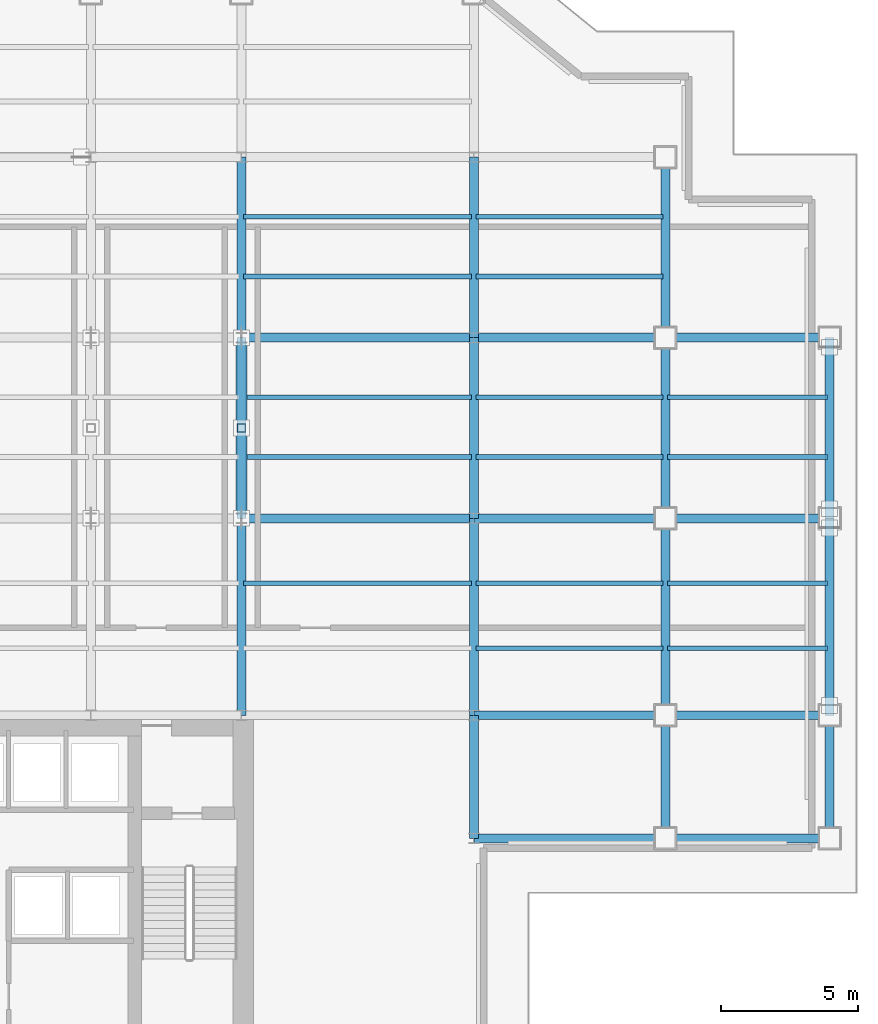
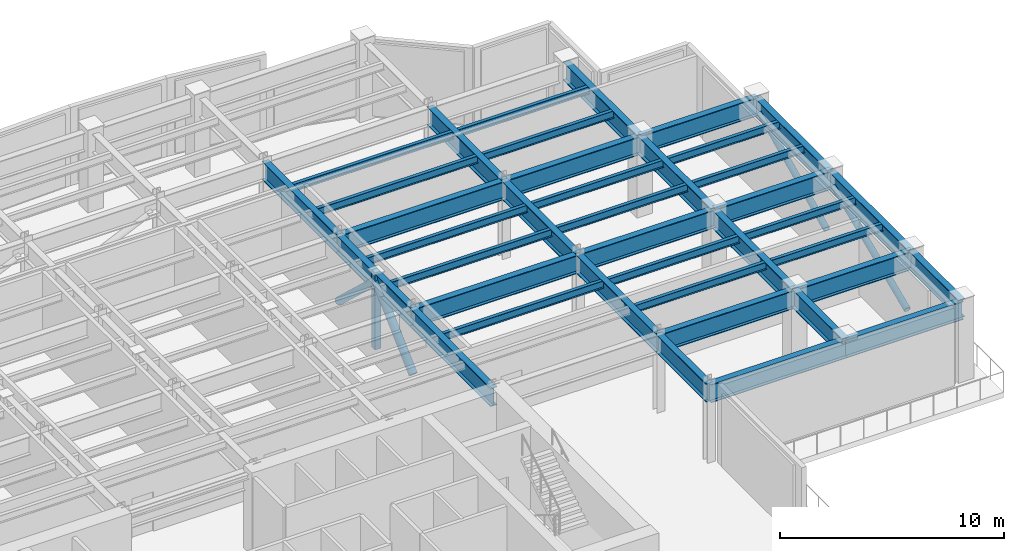
# One storey, part 3 of 12: 39 beams, 5 members.
"""IFC4 building model written with IfcOpenShell, lengths in metres."""

from ifc_helpers import new_model, si_unit, derived_unit, direction, frame, origin, origin_2d, place, context, subcontext, project, spatial, hollow_rectangle, hollow_circle, i_section, extrude, source, transform, mapped, material, material_profile, profile_set, type_object, element, save


model = new_model("IFC4")

# Units and contexts
model_context = context("Model", 3, precision=1e-05, world=origin(), true_north=direction((0.0, 1.0)))
body_context = subcontext(model_context, "Body", "Model", "MODEL_VIEW")
ifc_project = project(units=[si_unit("LENGTHUNIT", "METRE"), si_unit("AREAUNIT", "SQUARE_METRE"), si_unit("VOLUMEUNIT", "CUBIC_METRE"), si_unit("PLANEANGLEUNIT", "RADIAN"), si_unit("MASSUNIT", "GRAM", prefix="KILO"), derived_unit("THERMALTRANSMITTANCEUNIT", [(si_unit("POWERUNIT", "WATT"), 1), (si_unit("LENGTHUNIT", "METRE"), -2), (si_unit("THERMODYNAMICTEMPERATUREUNIT", "KELVIN"), -1)])], contexts=[model_context])

# Site, building, storey
site_placement = place(None, origin())
site = spatial("IfcSite", under=ifc_project, at=site_placement, CompositionType="ELEMENT")
building_placement = place(site_placement, origin())
building = spatial("IfcBuilding", under=site, at=building_placement, Name="Skarnbrae Concourse Arena and Tower", CompositionType="ELEMENT")
storey_placement = place(building_placement, frame((0.0, 0.0, 136.10009765625)))
storey = spatial("IfcBuildingStorey", under=building, at=storey_placement, Name="L34", CompositionType="ELEMENT", Elevation=136.10009765625)

# Beams
ifc_material = material(Name="Steel CSA G40.21 350W", Category="steel")
ifc_material_profile_1 = material_profile(ifc_material, i_section(OverallWidth=0.327880859375, OverallDepth=1.0, WebThickness=0.02099609375, FlangeThickness=0.03759765625, at=origin_2d()), Name="W1000X371")
ifc_profile_set_1 = profile_set([ifc_material_profile_1], Name="Steel CSA G40.21 350W")
beam_type_1 = type_object("IfcBeamType", Name="BM-XFER-W1000X371", PredefinedType="BEAM", material=ifc_profile_set_1)
shared_shape_1 = source(origin(), body_context, "Body", "SweptSolid", [
    extrude(i_section(OverallWidth=0.327880859375, OverallDepth=1.0, WebThickness=0.02099609375, FlangeThickness=0.03759765625, at=origin_2d()), origin(), (0.0, 0.0, 1.0), 7.0),
])
for number, where, z_axis, x_axis, name in (
    (1, (42.0, 9.5, 3.699951171875), (1.0, 0.0, 0.0), (0.0, 1.0, 0.0), "L34 Primary E-W girder Y9.5-2"),
    (2, (42.0, 14.0, 3.699951171875), (1.0, 0.0, 0.0), (0.0, 1.0, 0.0), "L34 Primary E-W girder Y14.0-7"),
    (3, (42.0, 21.199951171875, 3.699951171875), (1.0, 0.0, 0.0), (0.0, 1.0, 0.0), "L34 Primary E-W girder Y21.2-7"),
    (4, (42.0, 27.800048828125, 3.699951171875), (1.0, 0.0, 0.0), (0.0, 1.0, 0.0), "L34 Primary E-W girder Y27.8-7"),
):
    element("IfcBeam", number, at=place(storey_placement, frame(where, z_axis=z_axis, x_axis=x_axis)), inside=storey, type_object=beam_type_1, Name=name, PredefinedType="BEAM", context=body_context, shape_type="MappedRepresentation", body=[
        mapped(shared_shape_1, transform((0.0, 0.0, 0.0))),
    ])
shared_shape_2 = source(origin(), body_context, "Body", "SweptSolid", [
    extrude(i_section(OverallWidth=0.327880859375, OverallDepth=1.0, WebThickness=0.02099609375, FlangeThickness=0.03759765625, at=origin_2d()), origin(), (0.0, 0.0, 1.0), 6.0),
])
for number, where, z_axis, x_axis, name in (
    (5, (49.0, 9.5, 3.699951171875), (1.0, 0.0, 0.0), (0.0, 1.0, 0.0), "L34 Perimeter spandrel Y9.5-3"),
    (6, (49.0, 14.0, 3.699951171875), (1.0, 0.0, 0.0), (0.0, 1.0, 0.0), "L34 Perimeter spandrel Y14.0-8"),
    (7, (49.0, 21.199951171875, 3.699951171875), (1.0, 0.0, 0.0), (0.0, 1.0, 0.0), "L34 Perimeter spandrel Y21.2-8"),
    (8, (49.0, 27.800048828125, 3.699951171875), (1.0, 0.0, 0.0), (0.0, 1.0, 0.0), "L34 Perimeter spandrel Y27.8-8"),
):
    element("IfcBeam", number, at=place(storey_placement, frame(where, z_axis=z_axis, x_axis=x_axis)), inside=storey, type_object=beam_type_1, Name=name, PredefinedType="BEAM", context=body_context, shape_type="MappedRepresentation", body=[
        mapped(shared_shape_2, transform((0.0, 0.0, 0.0))),
    ])
shared_shape_3 = source(origin(), body_context, "Body", "SweptSolid", [
    extrude(i_section(OverallWidth=0.327880859375, OverallDepth=1.0, WebThickness=0.02099609375, FlangeThickness=0.03759765625, at=origin_2d()), origin(), (0.0, 0.0, 1.0), 6.60009765625),
])
for number, where, z_axis, x_axis, name in (
    (9, (33.5, 21.199951171875, 3.699951171875), (0.0, 1.0, 0.0), (-1.0, 0.0, 0.0), "L34 Primary N-S girder X33.5-2"),
    (10, (42.0, 21.199951171875, 3.699951171875), (0.0, 1.0, 0.0), (-1.0, 0.0, 0.0), "L34 Primary N-S girder X42.0-3"),
    (11, (49.0, 21.199951171875, 3.699951171875), (0.0, 1.0, 0.0), (-1.0, 0.0, 0.0), "L34 Perimeter spandrel X49.0-3"),
    (12, (55.0, 21.199951171875, 3.699951171875), (0.0, 1.0, 0.0), (-1.0, 0.0, 0.0), "L34 Perimeter spandrel X55.0-3"),
):
    element("IfcBeam", number, at=place(storey_placement, frame(where, z_axis=z_axis, x_axis=x_axis)), inside=storey, type_object=beam_type_1, Name=name, PredefinedType="BEAM", context=body_context, shape_type="MappedRepresentation", body=[
        mapped(shared_shape_3, transform((0.0, 0.0, 0.0))),
    ])
shared_shape_4 = source(origin(), body_context, "Body", "SweptSolid", [
    extrude(i_section(OverallWidth=0.327880859375, OverallDepth=1.0, WebThickness=0.02099609375, FlangeThickness=0.03759765625, at=origin_2d()), origin(), (0.0, 0.0, 1.0), 8.5),
])
for number, where, z_axis, x_axis, name in (
    (13, (33.5, 21.199951171875, 3.699951171875), (1.0, 0.0, 0.0), (0.0, 1.0, 0.0), "L34 Primary E-W girder Y21.2-6"),
    (14, (33.5, 27.800048828125, 3.699951171875), (1.0, 0.0, 0.0), (0.0, 1.0, 0.0), "L34 Primary E-W girder Y27.8-6"),
):
    element("IfcBeam", number, at=place(storey_placement, frame(where, z_axis=z_axis, x_axis=x_axis)), inside=storey, type_object=beam_type_1, Name=name, PredefinedType="BEAM", context=body_context, shape_type="MappedRepresentation", body=[
        mapped(shared_shape_4, transform((0.0, 0.0, 0.0))),
    ])
shared_shape_5 = source(origin(), body_context, "Body", "SweptSolid", [
    extrude(i_section(OverallWidth=0.327880859375, OverallDepth=1.0, WebThickness=0.02099609375, FlangeThickness=0.03759765625, at=origin_2d()), origin(), (0.0, 0.0, 1.0), 4.5),
])
for number, where, z_axis, x_axis, name in (
    (15, (42.0, 9.5, 3.699951171875), (0.0, 1.0, 0.0), (-1.0, 0.0, 0.0), "L34 Primary N-S girder X42.0-1"),
    (16, (49.0, 9.5, 3.699951171875), (0.0, 1.0, 0.0), (-1.0, 0.0, 0.0), "L34 Perimeter spandrel X49.0-1"),
    (17, (55.0, 9.5, 3.699951171875), (0.0, 1.0, 0.0), (-1.0, 0.0, 0.0), "L34 Perimeter spandrel X55.0-1"),
):
    element("IfcBeam", number, at=place(storey_placement, frame(where, z_axis=z_axis, x_axis=x_axis)), inside=storey, type_object=beam_type_1, Name=name, PredefinedType="BEAM", context=body_context, shape_type="MappedRepresentation", body=[
        mapped(shared_shape_5, transform((0.0, 0.0, 0.0))),
    ])
shared_shape_6 = source(origin(), body_context, "Body", "SweptSolid", [
    extrude(i_section(OverallWidth=0.327880859375, OverallDepth=1.0, WebThickness=0.02099609375, FlangeThickness=0.03759765625, at=origin_2d()), origin(), (0.0, 0.0, 1.0), 7.199951171875),
])
for number, where, z_axis, x_axis, name in (
    (18, (33.5, 14.0, 3.699951171875), (0.0, 1.0, 0.0), (-1.0, 0.0, 0.0), "L34 Primary N-S girder X33.5-1"),
    (19, (42.0, 14.0, 3.699951171875), (0.0, 1.0, 0.0), (-1.0, 0.0, 0.0), "L34 Primary N-S girder X42.0-2"),
    (20, (49.0, 14.0, 3.699951171875), (0.0, 1.0, 0.0), (-1.0, 0.0, 0.0), "L34 Perimeter spandrel X49.0-2"),
    (21, (55.0, 14.0, 3.699951171875), (0.0, 1.0, 0.0), (-1.0, 0.0, 0.0), "L34 Perimeter spandrel X55.0-2"),
):
    element("IfcBeam", number, at=place(storey_placement, frame(where, z_axis=z_axis, x_axis=x_axis)), inside=storey, type_object=beam_type_1, Name=name, PredefinedType="BEAM", context=body_context, shape_type="MappedRepresentation", body=[
        mapped(shared_shape_6, transform((0.0, 0.0, 0.0))),
    ])
shared_shape_7 = source(origin(), body_context, "Body", "SweptSolid", [
    extrude(i_section(OverallWidth=0.327880859375, OverallDepth=1.0, WebThickness=0.02099609375, FlangeThickness=0.03759765625, at=origin_2d()), origin(), (0.0, 0.0, 1.0), 6.599853515625),
])
for number, where, z_axis, x_axis, name in (
    (22, (33.5, 27.800048828125, 3.699951171875), (0.0, 1.0, 0.0), (-1.0, 0.0, 0.0), "L34 Primary N-S girder X33.5-3"),
    (23, (42.0, 27.800048828125, 3.699951171875), (0.0, 1.0, 0.0), (-1.0, 0.0, 0.0), "L34 Primary N-S girder X42.0-4"),
    (24, (49.0, 27.800048828125, 3.699951171875), (0.0, 1.0, 0.0), (-1.0, 0.0, 0.0), "L34 Perimeter spandrel X49.0-4"),
):
    element("IfcBeam", number, at=place(storey_placement, frame(where, z_axis=z_axis, x_axis=x_axis)), inside=storey, type_object=beam_type_1, Name=name, PredefinedType="BEAM", context=body_context, shape_type="MappedRepresentation", body=[
        mapped(shared_shape_7, transform((0.0, 0.0, 0.0))),
    ])
ifc_material_profile_2 = material_profile(ifc_material, i_section(OverallWidth=0.177978515625, OverallDepth=0.406982421875, WebThickness=0.0078125, FlangeThickness=0.0126953125, at=origin_2d()), Name="W410X60")
ifc_profile_set_2 = profile_set([ifc_material_profile_2], Name="Steel CSA G40.21 350W")
beam_type_2 = type_object("IfcBeamType", Name="BM-JOIST-W410X60", PredefinedType="JOIST", material=ifc_profile_set_2)
shared_shape_8 = source(origin(), body_context, "Body", "SweptSolid", [
    extrude(i_section(OverallWidth=0.177978515625, OverallDepth=0.406982421875, WebThickness=0.0078125, FlangeThickness=0.0126953125, at=origin_2d()), origin(), (0.0, 0.0, 1.0), 8.33984375),
])
for number, where, z_axis, x_axis, name in (
    (25, (33.580078125, 18.823974609375, 3.996337890625), (1.0, 0.0, 0.0), (0.0, 1.0, 0.0), "L34 Secondary floor joist 1.2.6"),
    (26, (33.580078125, 23.444091796875, 3.996337890625), (1.0, 0.0, 0.0), (0.0, 1.0, 0.0), "L34 Secondary floor joist 2.1.6"),
    (27, (33.580078125, 25.6220703125, 3.996337890625), (1.0, 0.0, 0.0), (0.0, 1.0, 0.0), "L34 Secondary floor joist 2.2.6"),
    (28, (33.580078125, 30.0439453125, 3.996337890625), (1.0, 0.0, 0.0), (0.0, 1.0, 0.0), "L34 Secondary floor joist 3.1.5"),
    (29, (33.580078125, 32.221923828125, 3.996337890625), (1.0, 0.0, 0.0), (0.0, 1.0, 0.0), "L34 Secondary floor joist 3.2.5"),
):
    element("IfcBeam", number, at=place(storey_placement, frame(where, z_axis=z_axis, x_axis=x_axis)), inside=storey, type_object=beam_type_2, Name=name, PredefinedType="JOIST", context=body_context, shape_type="MappedRepresentation", body=[
        mapped(shared_shape_8, transform((0.0, 0.0, 0.0))),
    ])
shared_shape_9 = source(origin(), body_context, "Body", "SweptSolid", [
    extrude(i_section(OverallWidth=0.177978515625, OverallDepth=0.406982421875, WebThickness=0.0078125, FlangeThickness=0.0126953125, at=origin_2d()), origin(), (0.0, 0.0, 1.0), 6.83984375),
])
for number, where, z_axis, x_axis, name in (
    (30, (42.080078125, 16.447998046875, 3.996337890625), (1.0, 0.0, 0.0), (0.0, 1.0, 0.0), "L34 Secondary floor joist 1.1.7"),
    (31, (42.080078125, 18.823974609375, 3.996337890625), (1.0, 0.0, 0.0), (0.0, 1.0, 0.0), "L34 Secondary floor joist 1.2.7"),
    (32, (42.080078125, 23.444091796875, 3.996337890625), (1.0, 0.0, 0.0), (0.0, 1.0, 0.0), "L34 Secondary floor joist 2.1.7"),
    (33, (42.080078125, 25.6220703125, 3.996337890625), (1.0, 0.0, 0.0), (0.0, 1.0, 0.0), "L34 Secondary floor joist 2.2.7"),
    (34, (42.080078125, 30.0439453125, 3.996337890625), (1.0, 0.0, 0.0), (0.0, 1.0, 0.0), "L34 Secondary floor joist 3.1.6"),
    (35, (42.080078125, 32.221923828125, 3.996337890625), (1.0, 0.0, 0.0), (0.0, 1.0, 0.0), "L34 Secondary floor joist 3.2.6"),
):
    element("IfcBeam", number, at=place(storey_placement, frame(where, z_axis=z_axis, x_axis=x_axis)), inside=storey, type_object=beam_type_2, Name=name, PredefinedType="JOIST", context=body_context, shape_type="MappedRepresentation", body=[
        mapped(shared_shape_9, transform((0.0, 0.0, 0.0))),
    ])
shared_shape_10 = source(origin(), body_context, "Body", "SweptSolid", [
    extrude(i_section(OverallWidth=0.177978515625, OverallDepth=0.406982421875, WebThickness=0.0078125, FlangeThickness=0.0126953125, at=origin_2d()), origin(), (0.0, 0.0, 1.0), 5.83984375),
])
for number, where, z_axis, x_axis, name in (
    (36, (49.080078125, 16.447998046875, 3.996337890625), (1.0, 0.0, 0.0), (0.0, 1.0, 0.0), "L34 Secondary floor joist 1.1.8"),
    (37, (49.080078125, 18.823974609375, 3.996337890625), (1.0, 0.0, 0.0), (0.0, 1.0, 0.0), "L34 Secondary floor joist 1.2.8"),
    (38, (49.080078125, 23.444091796875, 3.996337890625), (1.0, 0.0, 0.0), (0.0, 1.0, 0.0), "L34 Secondary floor joist 2.1.8"),
    (39, (49.080078125, 25.6220703125, 3.996337890625), (1.0, 0.0, 0.0), (0.0, 1.0, 0.0), "L34 Secondary floor joist 2.2.8"),
):
    element("IfcBeam", number, at=place(storey_placement, frame(where, z_axis=z_axis, x_axis=x_axis)), inside=storey, type_object=beam_type_2, Name=name, PredefinedType="JOIST", context=body_context, shape_type="MappedRepresentation", body=[
        mapped(shared_shape_10, transform((0.0, 0.0, 0.0))),
    ])

# Members
ifc_material_profile_3 = material_profile(ifc_material, hollow_circle(Radius=0.203125, WallThickness=0.02197265625, at=origin_2d()), Name="HSS406X22.0")
ifc_profile_set_3 = profile_set([ifc_material_profile_3], Name="Steel CSA G40.21 350W")
member_type_1 = type_object("IfcMemberType", Name="MEM-OUTRIG-CHS406", PredefinedType="BRACE", material=ifc_profile_set_3)
shared_shape_11 = source(origin(), body_context, "Body", "SweptSolid", [
    extrude(hollow_circle(Radius=0.203125, WallThickness=0.02197265625, at=origin_2d()), origin(), (0.0, 0.0, 1.0), 4.52783203125),
])
for number, where, z_axis, x_axis, name in (
    (40, (33.5, 21.199951171875, 0.5498046875), (0.0, 0.728842364395, 0.684681537551), (-1.0, 0.0, 0.0), "L34 Core outrigger trusses diagonal O4.1"),
    (41, (33.5, 24.5, 3.64990234375), (0.0, 0.728842364395, -0.684681537551), (-1.0, 0.0, 0.0), "L34 Core outrigger trusses diagonal O4.2"),
):
    element("IfcMember", number, at=place(storey_placement, frame(where, z_axis=z_axis, x_axis=x_axis)), inside=storey, type_object=member_type_1, Name=name, PredefinedType="BRACE", context=body_context, shape_type="MappedRepresentation", body=[
        mapped(shared_shape_11, transform((0.0, 0.0, 0.0))),
    ])
ifc_material_profile_4 = material_profile(ifc_material, hollow_rectangle(XDim=0.3046875, YDim=0.3046875, WallThickness=0.015869140625, at=origin_2d()), Name="HSS305X305X15.9")
ifc_profile_set_4 = profile_set([ifc_material_profile_4], Name="Steel CSA G40.21 350W")
member_type_2 = type_object("IfcMemberType", Name="MEM-POST-HSS305", PredefinedType="POST", material=ifc_profile_set_4)
shared_shape_12 = source(origin(), body_context, "Body", "SweptSolid", [
    extrude(hollow_rectangle(XDim=0.3046875, YDim=0.3046875, WallThickness=0.015869140625, at=origin_2d()), origin(), (0.0, 0.0, 1.0), 4.199951171875),
])
member_1_placement = place(storey_placement, frame((33.5, 24.5, 0.0), z_axis=(0.0, 0.0, 1.0), x_axis=(1.0, 0.0, 0.0)))
element("IfcMember", 42, at=member_1_placement, inside=storey, type_object=member_type_2, Name="L34 Outrigger truss mid-post O4", PredefinedType="POST", context=body_context, shape_type="MappedRepresentation", body=[
    mapped(shared_shape_12, transform((0.0, 0.0, 0.0))),
])
ifc_material_profile_5 = material_profile(ifc_material, hollow_circle(Radius=0.161865234375, WallThickness=0.01904296875, at=origin_2d()), Name="HSS324X19.0")
ifc_profile_set_5 = profile_set([ifc_material_profile_5], Name="Steel CSA G40.21 350W")
member_type_3 = type_object("IfcMemberType", Name="MEM-BELT-CHS324", PredefinedType="BRACE", material=ifc_profile_set_5)
shared_shape_13 = source(origin(), body_context, "Body", "SweptSolid", [
    extrude(hollow_circle(Radius=0.161865234375, WallThickness=0.01904296875, at=origin_2d()), origin(), (0.0, 0.0, 1.0), 7.069091796875),
])
member_2_placement = place(storey_placement, frame((55.0, 14.353515625, 0.7021484375), z_axis=(0.0, 0.9184917502, 0.39544014062), x_axis=(-1.0, 0.0, 0.0)))
element("IfcMember", 43, at=member_2_placement, inside=storey, type_object=member_type_3, Name="L34 Perimeter belt trusses diagonal B03", PredefinedType="BRACE", context=body_context, shape_type="MappedRepresentation", body=[
    mapped(shared_shape_13, transform((0.0, 0.0, 0.0))),
])
shared_shape_14 = source(origin(), body_context, "Body", "SweptSolid", [
    extrude(hollow_circle(Radius=0.161865234375, WallThickness=0.01904296875, at=origin_2d()), origin(), (0.0, 0.0, 1.0), 6.521484375),
])
member_3_placement = place(storey_placement, frame((55.0, 21.548583984375, 0.713623046875), z_axis=(0.0, 0.905134063645, 0.425126248108), x_axis=(-1.0, 0.0, 0.0)))
element("IfcMember", 44, at=member_3_placement, inside=storey, type_object=member_type_3, Name="L34 Perimeter belt trusses diagonal B04", PredefinedType="BRACE", context=body_context, shape_type="MappedRepresentation", body=[
    mapped(shared_shape_14, transform((0.0, 0.0, 0.0))),
])

save(model, "model.ifc")
